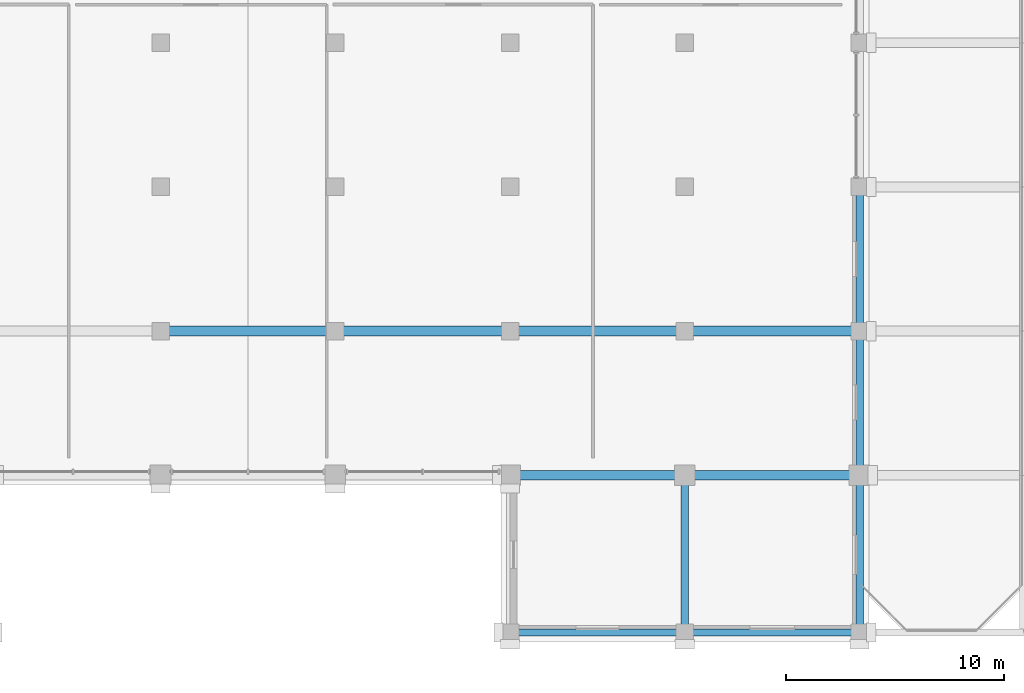
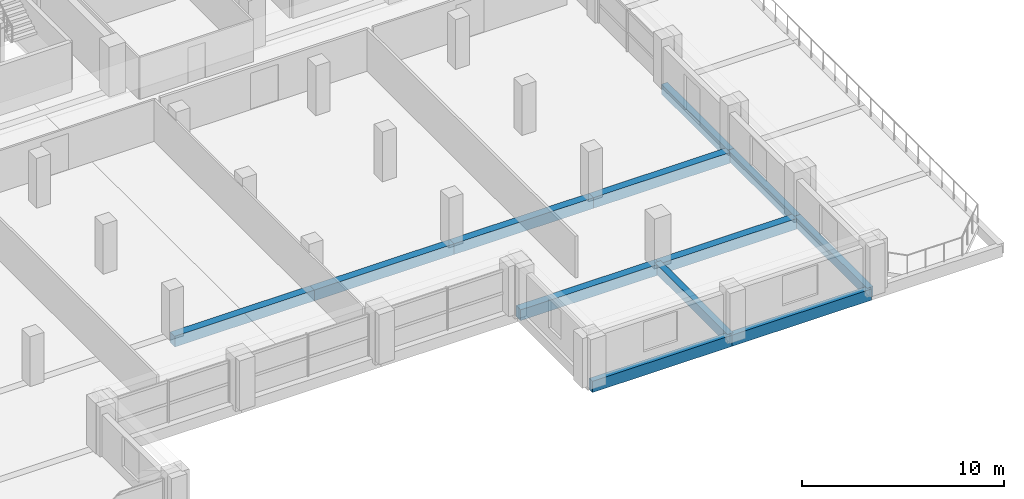
# One storey, part 8 of 22: 12 beams.
"""IFC4 building model written with IfcOpenShell, lengths in metres."""

from ifc_helpers import new_model, si_unit, direction, frame, origin, origin_2d, place, context, subcontext, project, spatial, rectangle, extrude, material, material_profile, profile_set, type_object, element, save


model = new_model("IFC4")

# Units and contexts
model_context = context("Model", 3, precision=1e-05, world=origin(), true_north=direction((0.0, 1.0)))
body_context = subcontext(model_context, "Body", "Model", "MODEL_VIEW")
ifc_project = project(units=[si_unit("LENGTHUNIT", "METRE"), si_unit("AREAUNIT", "SQUARE_METRE"), si_unit("VOLUMEUNIT", "CUBIC_METRE"), si_unit("PLANEANGLEUNIT", "RADIAN"), si_unit("MASSUNIT", "GRAM", prefix="KILO")], contexts=[model_context])

# Site, building, storey
site_placement = place(None, origin())
site = spatial("IfcSite", under=ifc_project, at=site_placement, CompositionType="ELEMENT")
building_placement = place(site_placement, origin())
building = spatial("IfcBuilding", under=site, at=building_placement, Name="Akrevak Sports Hall", CompositionType="ELEMENT")
storey_placement = place(building_placement, frame((0.0, 0.0, 40.550048828125)))
storey = spatial("IfcBuildingStorey", under=building, at=storey_placement, Name="L09", CompositionType="ELEMENT", Elevation=40.550048828125)

# Beams
ifc_material = material(Name="Concrete C40/50", Category="concrete")
ifc_material_profile_1 = material_profile(ifc_material, rectangle(XDim=0.35009765625, YDim=0.60009765625, at=origin_2d()), Name="BM 350x600", Category="concrete")
ifc_profile_set_1 = profile_set([ifc_material_profile_1], Name="Concrete C40/50")
beam_type_1 = type_object("IfcBeamType", Name="STR-BM-RC350x600", PredefinedType="BEAM", material=ifc_profile_set_1)
for number, where, z_axis, x_axis, name in (
    (1, (100.0, 21.60009765625, -0.300048828125), (0.0, 1.0, 0.0), (-1.0, 0.0, 0.0), "Girder 14/D-E (L09)"),
    (2, (108.0, 21.60009765625, -0.300048828125), (0.0, 1.0, 0.0), (-1.0, 0.0, 0.0), "Girder 15/D-E (L09)"),
):
    element("IfcBeam", number, at=place(storey_placement, frame(where, z_axis=z_axis, x_axis=x_axis)), inside=storey, type_object=beam_type_1, Name=name, PredefinedType="BEAM", context=body_context, shape_type="SweptSolid", body=[
        extrude(rectangle(XDim=0.35009765625, YDim=0.60009765625, at=origin_2d()), origin(), (0.0, 0.0, 1.0), 7.199951171875),
    ])
beam_1_placement = place(storey_placement, frame((108.0, 28.800048828125, -0.300048828125), z_axis=(0.0, 1.0, 0.0), x_axis=(-1.0, 0.0, 0.0)))
element("IfcBeam", 3, at=beam_1_placement, inside=storey, type_object=beam_type_1, Name="Girder 15/E-F (L09)", PredefinedType="BEAM", context=body_context, shape_type="SweptSolid", body=[
    extrude(rectangle(XDim=0.35009765625, YDim=0.60009765625, at=origin_2d()), origin(), (0.0, 0.0, 1.0), 6.599853515625),
])
beam_2_placement = place(storey_placement, frame((108.0, 35.39990234375, -0.300048828125), z_axis=(0.0, 1.0, 0.0), x_axis=(-1.0, 0.0, 0.0)))
element("IfcBeam", 4, at=beam_2_placement, inside=storey, type_object=beam_type_1, Name="Girder 15/F-G (L09)", PredefinedType="BEAM", context=body_context, shape_type="SweptSolid", body=[
    extrude(rectangle(XDim=0.35009765625, YDim=0.60009765625, at=origin_2d()), origin(), (0.0, 0.0, 1.0), 6.60009765625),
])
ifc_material_profile_2 = material_profile(ifc_material, rectangle(XDim=0.449951171875, YDim=0.64990234375, at=origin_2d()), Name="BM 450x650", Category="concrete")
ifc_profile_set_2 = profile_set([ifc_material_profile_2], Name="Concrete C40/50")
beam_type_2 = type_object("IfcBeamType", Name="STR-BM-RC450x650", PredefinedType="BEAM", material=ifc_profile_set_2)
for number, where, z_axis, x_axis, name in (
    (5, (92.0, 28.800048828125, -0.324951171875), (1.0, 0.0, 0.0), (0.0, 1.0, 0.0), "Girder E/13-14 (L09)"),
    (6, (100.0, 28.800048828125, -0.324951171875), (1.0, 0.0, 0.0), (0.0, 1.0, 0.0), "Girder E/14-15 (L09)"),
    (7, (76.0, 35.39990234375, -0.324951171875), (1.0, 0.0, 0.0), (0.0, 1.0, 0.0), "Girder F/11-12 (L09)"),
    (8, (84.0, 35.39990234375, -0.324951171875), (1.0, 0.0, 0.0), (0.0, 1.0, 0.0), "Girder F/12-13 (L09)"),
    (9, (92.0, 35.39990234375, -0.324951171875), (1.0, 0.0, 0.0), (0.0, 1.0, 0.0), "Girder F/13-14 (L09)"),
    (10, (100.0, 35.39990234375, -0.324951171875), (1.0, 0.0, 0.0), (0.0, 1.0, 0.0), "Girder F/14-15 (L09)"),
):
    element("IfcBeam", number, at=place(storey_placement, frame(where, z_axis=z_axis, x_axis=x_axis)), inside=storey, type_object=beam_type_2, Name=name, PredefinedType="BEAM", context=body_context, shape_type="SweptSolid", body=[
        extrude(rectangle(XDim=0.449951171875, YDim=0.64990234375, at=origin_2d()), origin(), (0.0, 0.0, 1.0), 8.0),
    ])
ifc_material_profile_3 = material_profile(ifc_material, rectangle(XDim=0.320068359375, YDim=0.679931640625, at=origin_2d()), Name="SPD 320x680", Category="concrete")
ifc_profile_set_3 = profile_set([ifc_material_profile_3], Name="Concrete C40/50")
beam_type_3 = type_object("IfcBeamType", Name="STR-SPD-RC320x680", PredefinedType="SPANDREL", material=ifc_profile_set_3)
for number, where, z_axis, x_axis, name in (
    (11, (92.0, 21.60009765625, -0.340087890625), (1.0, 0.0, 0.0), (0.0, 1.0, 0.0), "Girder D/13-14 (L09)"),
    (12, (100.0, 21.60009765625, -0.340087890625), (1.0, 0.0, 0.0), (0.0, 1.0, 0.0), "Girder D/14-15 (L09)"),
):
    element("IfcBeam", number, at=place(storey_placement, frame(where, z_axis=z_axis, x_axis=x_axis)), inside=storey, type_object=beam_type_3, Name=name, PredefinedType="SPANDREL", context=body_context, shape_type="SweptSolid", body=[
        extrude(rectangle(XDim=0.320068359375, YDim=0.679931640625, at=origin_2d()), origin(), (0.0, 0.0, 1.0), 8.0),
    ])

save(model, "model.ifc")
